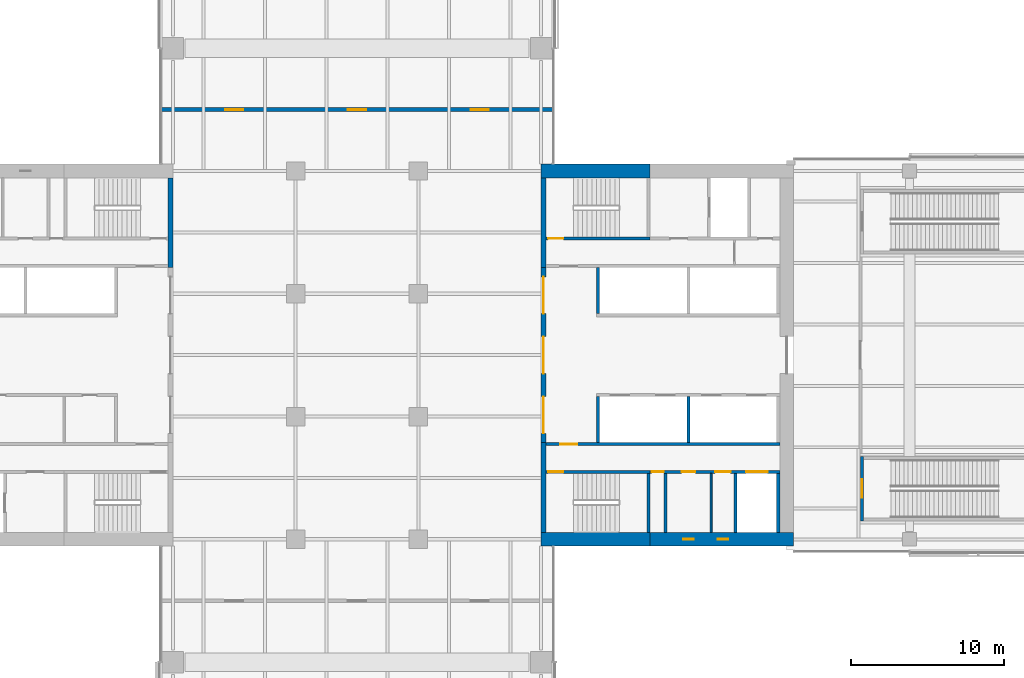
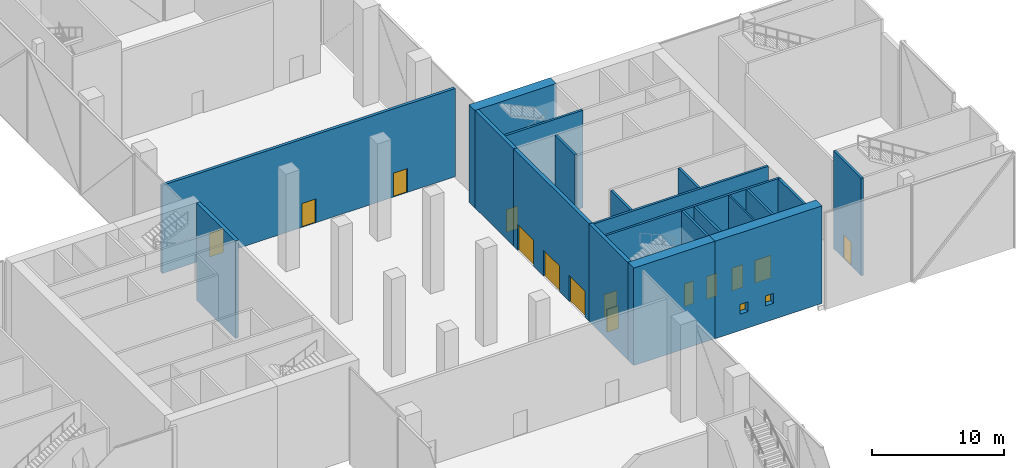
# One storey, part 16 of 26: 21 walls, 14 doors, 2 windows, 16 openings.
"""IFC4 building model written with IfcOpenShell, lengths in metres."""

from ifc_helpers import new_model, si_unit, direction, frame, frame_2d, origin, place, context, subcontext, project, spatial, rectangle, extrude, material, layer, layer_set, constituent, constituent_set, type_object, element, fill, save


model = new_model("IFC4")

# Units and contexts
model_context = context("Model", 3, precision=1e-05, world=origin(), true_north=direction((0.0, 1.0)))
body_context = subcontext(model_context, "Body", "Model", "MODEL_VIEW")
ifc_project = project(units=[si_unit("LENGTHUNIT", "METRE"), si_unit("AREAUNIT", "SQUARE_METRE"), si_unit("VOLUMEUNIT", "CUBIC_METRE"), si_unit("PLANEANGLEUNIT", "RADIAN"), si_unit("MASSUNIT", "GRAM", prefix="KILO")], contexts=[model_context])

# Site, building, storey
site_placement = place(None, origin())
site = spatial("IfcSite", under=ifc_project, at=site_placement, CompositionType="ELEMENT")
building_placement = place(site_placement, origin())
building = spatial("IfcBuilding", under=site, at=building_placement, Name="Crosswind Convention Tower", CompositionType="ELEMENT")
storey_placement = place(building_placement, frame((0.0, 0.0, 25.0)))
storey = spatial("IfcBuildingStorey", under=building, at=storey_placement, Name="L03", CompositionType="ELEMENT", Elevation=25.0)

# Wall
ifc_material_1 = material(Name="Concrete blockwork", Category="masonry")
ifc_layer_1 = layer(ifc_material_1, 0.199951171875)
ifc_layer_set_1 = layer_set([ifc_layer_1], Name="Blockwork partition wall 200")
wall_type_1 = type_object("IfcWallType", Name="Blockwork partition wall 200", PredefinedType="PARTITIONING", material=ifc_layer_set_1)
wall_1_placement = place(storey_placement, frame((145.10009765625, 88.449951171875, 0.0), z_axis=(0.0, 0.0, 1.0), x_axis=(0.0, 1.0, 0.0)))
element("IfcWall", 1, at=wall_1_placement, inside=storey, type_object=wall_type_1, Name="Wall MRSE E L03", PredefinedType="PARTITIONING", context=body_context, shape_type="SweptSolid", body=[
    extrude(rectangle(XDim=3.85009765625, YDim=0.199951171875, at=frame_2d((1.925048828125, 0.0))), origin(), (0.0, 0.0, 1.0), 9.0),
])

# Wall, openings, doors
ifc_material_2 = material(Name="Concrete C50/60", Category="concrete")
ifc_layer_2 = layer(ifc_material_2, 0.300048828125)
ifc_layer_set_2 = layer_set([ifc_layer_2], Name="Concrete C50/60")
wall_type_2 = type_object("IfcWallType", Name="Concrete inner core wall 300", PredefinedType="SHEAR", material=ifc_layer_set_2)
wall_2_placement = place(storey_placement, frame((137.14990234375, 94.300048828125, 0.0), z_axis=(0.0, 0.0, 1.0), x_axis=(0.0, 1.0, 0.0)))
wall_2 = element("IfcWall", 2, at=wall_2_placement, inside=storey, type_object=wall_type_2, Name="Wall SCR E L03", PredefinedType="SHEAR", context=body_context, shape_type="SweptSolid", body=[
    extrude(rectangle(XDim=11.39990234375, YDim=0.300048828125, at=frame_2d((5.699951171875, 0.0))), origin(), (0.0, 0.0, 1.0), 9.0),
])
opening_1_placement = place(wall_2_placement, frame((0.60009765625, 0.0, 0.0)))
opening_1 = element("IfcOpeningElement", 3, at=opening_1_placement, cuts=wall_2, Name="Opening D100", PredefinedType="OPENING", context=body_context, shape_type="SweptSolid", body=[
    extrude(rectangle(XDim=2.39990234375, YDim=2.39990234375, at=frame_2d((1.199951171875, 1.199951171875))), frame((0.0, 0.159912109375, 0.0), z_axis=(0.0, -1.0, 0.0), x_axis=(1.0, 0.0, 0.0)), (0.0, 0.0, 1.0), 0.320068359375),
])
opening_2_placement = place(wall_2_placement, frame((4.5, 0.0, 0.0)))
opening_2 = element("IfcOpeningElement", 4, at=opening_2_placement, cuts=wall_2, Name="Opening D100", PredefinedType="OPENING", context=body_context, shape_type="SweptSolid", body=[
    extrude(rectangle(XDim=2.39990234375, YDim=2.39990234375, at=frame_2d((1.199951171875, 1.199951171875))), frame((0.0, 0.159912109375, 0.0), z_axis=(0.0, -1.0, 0.0), x_axis=(1.0, 0.0, 0.0)), (0.0, 0.0, 1.0), 0.320068359375),
])
opening_3_placement = place(wall_2_placement, frame((8.39990234375, 0.0, 0.0)))
opening_3 = element("IfcOpeningElement", 5, at=opening_3_placement, cuts=wall_2, Name="Opening D100", PredefinedType="OPENING", context=body_context, shape_type="SweptSolid", body=[
    extrude(rectangle(XDim=2.39990234375, YDim=2.39990234375, at=frame_2d((1.199951171875, 1.199951171875))), frame((0.0, 0.159912109375, 0.0), z_axis=(0.0, -1.0, 0.0), x_axis=(1.0, 0.0, 0.0)), (0.0, 0.0, 1.0), 0.320068359375),
])
ifc_material_3 = material(Name="Steel fire door with glazed vision panels", Category="steel")
door_type_1 = type_object("IfcDoorType", Name="Fire-rated double door 2400x2400", OperationType="DOUBLE_DOOR_SINGLE_SWING", PredefinedType="DOOR", material=ifc_material_3)
door_1_placement = place(opening_1_placement, frame((2.39990234375, 0.0, 0.0), z_axis=(0.0, 0.0, 1.0), x_axis=(-1.0, 0.0, 0.0)))
door_1 = element("IfcDoor", 6, at=door_1_placement, inside=storey, type_object=door_type_1, Name="Lobby door 1 L03", ObjectType="D100", OperationType="DOUBLE_DOOR_SINGLE_SWING", OverallHeight=2.39990234375, OverallWidth=2.39990234375, PredefinedType="DOOR", context=body_context, shape_type="SweptSolid", body=[
    extrude(rectangle(XDim=2.39990234375, YDim=2.39990234375, at=frame_2d((1.199951171875, 1.199951171875))), frame((0.0, 0.02490234375, 0.0), z_axis=(0.0, -1.0, 0.0), x_axis=(1.0, 0.0, 0.0)), (0.0, 0.0, 1.0), 0.050048828125),
])
fill(opening_1, door_1)
door_2_placement = place(opening_2_placement, frame((2.39990234375, 0.0, 0.0), z_axis=(0.0, 0.0, 1.0), x_axis=(-1.0, 0.0, 0.0)))
door_2 = element("IfcDoor", 7, at=door_2_placement, inside=storey, type_object=door_type_1, Name="Lobby door 2 L03", ObjectType="D100", OperationType="DOUBLE_DOOR_SINGLE_SWING", OverallHeight=2.39990234375, OverallWidth=2.39990234375, PredefinedType="DOOR", context=body_context, shape_type="SweptSolid", body=[
    extrude(rectangle(XDim=2.39990234375, YDim=2.39990234375, at=frame_2d((1.199951171875, 1.199951171875))), frame((0.0, 0.02490234375, 0.0), z_axis=(0.0, -1.0, 0.0), x_axis=(1.0, 0.0, 0.0)), (0.0, 0.0, 1.0), 0.050048828125),
])
fill(opening_2, door_2)
door_3_placement = place(opening_3_placement, frame((2.39990234375, 0.0, 0.0), z_axis=(0.0, 0.0, 1.0), x_axis=(-1.0, 0.0, 0.0)))
door_3 = element("IfcDoor", 8, at=door_3_placement, inside=storey, type_object=door_type_1, Name="Lobby door 3 L03", ObjectType="D100", OperationType="DOUBLE_DOOR_SINGLE_SWING", OverallHeight=2.39990234375, OverallWidth=2.39990234375, PredefinedType="DOOR", context=body_context, shape_type="SweptSolid", body=[
    extrude(rectangle(XDim=2.39990234375, YDim=2.39990234375, at=frame_2d((1.199951171875, 1.199951171875))), frame((0.0, 0.02490234375, 0.0), z_axis=(0.0, -1.0, 0.0), x_axis=(1.0, 0.0, 0.0)), (0.0, 0.0, 1.0), 0.050048828125),
])
fill(opening_3, door_3)

# Walls
for number, where, z_axis, x_axis, name in (
    (9, (137.14990234375, 105.699951171875, 0.0), (0.0, 0.0, 1.0), (0.0, 1.0, 0.0), "Wall EP E L03"),
    (10, (137.14990234375, 88.449951171875, 0.0), (0.0, 0.0, 1.0), (0.0, 1.0, 0.0), "Wall EM E L03"),
    (11, (112.85009765625, 111.550048828125, 0.0), (0.0, 0.0, 1.0), (0.0, -1.0, 0.0), "Wall EM W L03"),
):
    element("IfcWall", number, at=place(storey_placement, frame(where, z_axis=z_axis, x_axis=x_axis)), inside=storey, type_object=wall_type_2, Name=name, PredefinedType="SHEAR", context=body_context, shape_type="SweptSolid", body=[
        extrude(rectangle(XDim=5.85009765625, YDim=0.300048828125, at=frame_2d((2.925048828125, 0.0))), origin(), (0.0, 0.0, 1.0), 9.0),
    ])
ifc_layer_3 = layer(ifc_material_2, 0.199951171875)
ifc_layer_set_3 = layer_set([ifc_layer_3], Name="Concrete C50/60")
wall_type_3 = type_object("IfcWallType", Name="Concrete shaft and stair wall 200", PredefinedType="SHEAR", material=ifc_layer_set_3)
for number, where, z_axis, x_axis, name in (
    (12, (140.699951171875, 102.699951171875, 0.0), (0.0, 0.0, 1.0), (0.0, 1.0, 0.0), "Wall RPEND E L03"),
    (13, (140.699951171875, 94.300048828125, 0.0), (0.0, 0.0, 1.0), (0.0, 1.0, 0.0), "Wall RMEND E L03"),
    (14, (146.60009765625, 94.300048828125, 0.0), (0.0, 0.0, 1.0), (0.0, 1.0, 0.0), "Wall RMSEP E L03"),
):
    element("IfcWall", number, at=place(storey_placement, frame(where, z_axis=z_axis, x_axis=x_axis)), inside=storey, type_object=wall_type_3, Name=name, PredefinedType="SHEAR", context=body_context, shape_type="SweptSolid", body=[
        extrude(rectangle(XDim=3.0, YDim=0.199951171875, at=frame_2d((1.5, 0.0))), origin(), (0.0, 0.0, 1.0), 9.0),
    ])

# Wall, opening, door
wall_3_placement = place(storey_placement, frame((137.300048828125, 107.60009765625, 0.0), z_axis=(0.0, 0.0, 1.0), x_axis=(1.0, 0.0, 0.0)))
wall_3 = element("IfcWall", 15, at=wall_3_placement, inside=storey, type_object=wall_type_3, Name="Wall PCW E L03", PredefinedType="SHEAR", context=body_context, shape_type="SweptSolid", body=[
    extrude(rectangle(XDim=6.800048828125, YDim=0.199951171875, at=frame_2d((3.39990234375, 0.0))), origin(), (0.0, 0.0, 1.0), 9.0),
])
opening_4_placement = place(wall_3_placement, frame((0.14990234375, 0.0, 0.0)))
opening_4 = element("IfcOpeningElement", 16, at=opening_4_placement, cuts=wall_3, Name="Opening D103", PredefinedType="OPENING", context=body_context, shape_type="SweptSolid", body=[
    extrude(rectangle(XDim=1.0, YDim=2.10009765625, at=frame_2d((0.5, 1.050048828125))), frame((0.0, 0.10986328125, 0.0), z_axis=(0.0, -1.0, 0.0), x_axis=(1.0, 0.0, 0.0)), (0.0, 0.0, 1.0), 0.219970703125),
])
ifc_material_4 = material(Name="Steel fire door", Category="steel")
door_type_2 = type_object("IfcDoorType", Name="Fire-rated single door 1000x2100", OperationType="NOTDEFINED", PredefinedType="DOOR", material=ifc_material_4)
door_4_placement = place(opening_4_placement, origin())
door_4 = element("IfcDoor", 17, at=door_4_placement, inside=storey, type_object=door_type_2, Name="Stair ST1 door L03", ObjectType="D103", OperationType="SINGLE_SWING_LEFT", OverallHeight=2.10009765625, OverallWidth=1.0, PredefinedType="DOOR", context=body_context, shape_type="SweptSolid", body=[
    extrude(rectangle(XDim=1.0, YDim=2.10009765625, at=frame_2d((0.5, 1.050048828125))), frame((0.0, 0.02490234375, 0.0), z_axis=(0.0, -1.0, 0.0), x_axis=(1.0, 0.0, 0.0)), (0.0, 0.0, 1.0), 0.050048828125),
])
fill(opening_4, door_4)

wall_4_placement = place(storey_placement, frame((137.300048828125, 94.199951171875, 0.0), z_axis=(0.0, 0.0, 1.0), x_axis=(1.0, 0.0, 0.0)))
wall_4 = element("IfcWall", 18, at=wall_4_placement, inside=storey, type_object=wall_type_3, Name="Wall HM E L03", PredefinedType="SHEAR", context=body_context, shape_type="SweptSolid", body=[
    extrude(rectangle(XDim=15.25, YDim=0.199951171875, at=frame_2d((7.625, 0.0))), origin(), (0.0, 0.0, 1.0), 9.0),
])
opening_5_placement = place(wall_4_placement, frame((0.949951171875, 0.0, 0.0)))
opening_5 = element("IfcOpeningElement", 19, at=opening_5_placement, cuts=wall_4, Name="Opening D104", PredefinedType="OPENING", context=body_context, shape_type="SweptSolid", body=[
    extrude(rectangle(XDim=1.10009765625, YDim=2.10009765625, at=frame_2d((0.550048828125, 1.050048828125))), frame((0.0, 0.10986328125, 0.0), z_axis=(0.0, -1.0, 0.0), x_axis=(1.0, 0.0, 0.0)), (0.0, 0.0, 1.0), 0.219970703125),
])
door_type_3 = type_object("IfcDoorType", Name="Fire-rated single door 1100x2100", OperationType="NOTDEFINED", PredefinedType="DOOR", material=ifc_material_4)
door_5_placement = place(opening_5_placement, frame((1.10009765625, 0.0, 0.0), z_axis=(0.0, 0.0, 1.0), x_axis=(-1.0, 0.0, 0.0)))
door_5 = element("IfcDoor", 20, at=door_5_placement, inside=storey, type_object=door_type_3, Name="Corridor door L03", ObjectType="D104", OperationType="SINGLE_SWING_RIGHT", OverallHeight=2.10009765625, OverallWidth=1.10009765625, PredefinedType="DOOR", context=body_context, shape_type="SweptSolid", body=[
    extrude(rectangle(XDim=1.10009765625, YDim=2.10009765625, at=frame_2d((0.550048828125, 1.050048828125))), frame((0.0, 0.02490234375, 0.0), z_axis=(0.0, -1.0, 0.0), x_axis=(1.0, 0.0, 0.0)), (0.0, 0.0, 1.0), 0.050048828125),
])
fill(opening_5, door_5)

# Walls
for number, where, z_axis, x_axis, name in (
    (21, (144.0, 88.449951171875, 0.0), (0.0, 0.0, 1.0), (0.0, 1.0, 0.0), "Wall MSE E L03"),
    (22, (149.64990234375, 88.449951171875, 0.0), (0.0, 0.0, 1.0), (0.0, 1.0, 0.0), "Wall MFSW E L03"),
    (23, (152.449951171875, 88.449951171875, 0.0), (0.0, 0.0, 1.0), (0.0, 1.0, 0.0), "Wall MFSE E L03"),
):
    element("IfcWall", number, at=place(storey_placement, frame(where, z_axis=z_axis, x_axis=x_axis)), inside=storey, type_object=wall_type_3, Name=name, PredefinedType="SHEAR", context=body_context, shape_type="SweptSolid", body=[
        extrude(rectangle(XDim=3.85009765625, YDim=0.199951171875, at=frame_2d((1.925048828125, 0.0))), origin(), (0.0, 0.0, 1.0), 9.0),
    ])

# Wall, opening, door
wall_5_placement = place(storey_placement, frame((137.300048828125, 92.39990234375, 0.0), z_axis=(0.0, 0.0, 1.0), x_axis=(1.0, 0.0, 0.0)))
wall_5 = element("IfcWall", 24, at=wall_5_placement, inside=storey, type_object=wall_type_3, Name="Wall MCW E L03", PredefinedType="SHEAR", context=body_context, shape_type="SweptSolid", body=[
    extrude(rectangle(XDim=6.800048828125, YDim=0.199951171875, at=frame_2d((3.39990234375, 0.0))), origin(), (0.0, 0.0, 1.0), 9.0),
])
opening_6_placement = place(wall_5_placement, frame((0.14990234375, 0.0, 0.0)))
opening_6 = element("IfcOpeningElement", 25, at=opening_6_placement, cuts=wall_5, Name="Opening D103", PredefinedType="OPENING", context=body_context, shape_type="SweptSolid", body=[
    extrude(rectangle(XDim=1.0, YDim=2.10009765625, at=frame_2d((0.5, 1.050048828125))), frame((0.0, 0.10986328125, 0.0), z_axis=(0.0, -1.0, 0.0), x_axis=(1.0, 0.0, 0.0)), (0.0, 0.0, 1.0), 0.219970703125),
])
door_6_placement = place(opening_6_placement, frame((1.0, 0.0, 0.0), z_axis=(0.0, 0.0, 1.0), x_axis=(-1.0, 0.0, 0.0)))
door_6 = element("IfcDoor", 26, at=door_6_placement, inside=storey, type_object=door_type_2, Name="Stair ST2 door L03", ObjectType="D103", OperationType="SINGLE_SWING_RIGHT", OverallHeight=2.10009765625, OverallWidth=1.0, PredefinedType="DOOR", context=body_context, shape_type="SweptSolid", body=[
    extrude(rectangle(XDim=1.0, YDim=2.10009765625, at=frame_2d((0.5, 1.050048828125))), frame((0.0, 0.02490234375, 0.0), z_axis=(0.0, -1.0, 0.0), x_axis=(1.0, 0.0, 0.0)), (0.0, 0.0, 1.0), 0.050048828125),
])
fill(opening_6, door_6)

# Wall, openings, doors
wall_6_placement = place(storey_placement, frame((144.10009765625, 92.39990234375, 0.0), z_axis=(0.0, 0.0, 1.0), x_axis=(1.0, 0.0, 0.0)))
wall_6 = element("IfcWall", 27, at=wall_6_placement, inside=storey, type_object=wall_type_3, Name="Wall MCX E L03", PredefinedType="SHEAR", context=body_context, shape_type="SweptSolid", body=[
    extrude(rectangle(XDim=8.449951171875, YDim=0.199951171875, at=frame_2d((4.22509765625, 0.0))), origin(), (0.0, 0.0, 1.0), 9.0),
])
opening_7_placement = place(wall_6_placement, frame((0.10009765625, 0.0, 0.0)))
opening_7 = element("IfcOpeningElement", 28, at=opening_7_placement, cuts=wall_6, Name="Opening D105", PredefinedType="OPENING", context=body_context, shape_type="SweptSolid", body=[
    extrude(rectangle(XDim=0.800048828125, YDim=2.10009765625, at=frame_2d((0.39990234375, 1.050048828125))), frame((0.0, 0.10986328125, 0.0), z_axis=(0.0, -1.0, 0.0), x_axis=(1.0, 0.0, 0.0)), (0.0, 0.0, 1.0), 0.219970703125),
])
opening_8_placement = place(wall_6_placement, frame((2.05419921875, 0.0, 0.0)))
opening_8 = element("IfcOpeningElement", 29, at=opening_8_placement, cuts=wall_6, Name="Opening D106", PredefinedType="OPENING", context=body_context, shape_type="SweptSolid", body=[
    extrude(rectangle(XDim=0.89990234375, YDim=2.10009765625, at=frame_2d((0.449951171875, 1.050048828125))), frame((0.0, 0.10986328125, 0.0), z_axis=(0.0, -1.0, 0.0), x_axis=(1.0, 0.0, 0.0)), (0.0, 0.0, 1.0), 0.219970703125),
])
opening_9_placement = place(wall_6_placement, frame((4.24169921875, 0.0, 0.0)))
opening_9 = element("IfcOpeningElement", 30, at=opening_9_placement, cuts=wall_6, Name="Opening D103", PredefinedType="OPENING", context=body_context, shape_type="SweptSolid", body=[
    extrude(rectangle(XDim=1.0, YDim=2.10009765625, at=frame_2d((0.5, 1.050048828125))), frame((0.0, 0.10986328125, 0.0), z_axis=(0.0, -1.0, 0.0), x_axis=(1.0, 0.0, 0.0)), (0.0, 0.0, 1.0), 0.219970703125),
])
opening_10_placement = place(wall_6_placement, frame((6.25, 0.0, 0.0)))
opening_10 = element("IfcOpeningElement", 31, at=opening_10_placement, cuts=wall_6, Name="Opening LD2", PredefinedType="OPENING", context=body_context, shape_type="SweptSolid", body=[
    extrude(rectangle(XDim=1.39990234375, YDim=2.10009765625, at=frame_2d((0.699951171875, 1.050048828125))), frame((0.0, 0.10986328125, 0.0), z_axis=(0.0, -1.0, 0.0), x_axis=(1.0, 0.0, 0.0)), (0.0, 0.0, 1.0), 0.219970703125),
])
door_7_placement = place(opening_9_placement, frame((1.0, 0.0, 0.0), z_axis=(0.0, 0.0, 1.0), x_axis=(-1.0, 0.0, 0.0)))
door_7 = element("IfcDoor", 32, at=door_7_placement, inside=storey, type_object=door_type_2, Name="Door to accessible wc L03", ObjectType="D103", OperationType="SINGLE_SWING_LEFT", OverallHeight=2.10009765625, OverallWidth=1.0, PredefinedType="DOOR", context=body_context, shape_type="SweptSolid", body=[
    extrude(rectangle(XDim=1.0, YDim=2.10009765625, at=frame_2d((0.5, 1.050048828125))), frame((0.0, 0.02490234375, 0.0), z_axis=(0.0, -1.0, 0.0), x_axis=(1.0, 0.0, 0.0)), (0.0, 0.0, 1.0), 0.050048828125),
])
fill(opening_9, door_7)
ifc_material_5 = material(Name="Stainless steel", Category="steel")
door_type_4 = type_object("IfcDoorType", Name="Lift landing door 1400x2100", OperationType="DOUBLE_DOOR_SLIDING", PredefinedType="DOOR", material=ifc_material_5)
door_8_placement = place(opening_10_placement, origin())
door_8 = element("IfcDoor", 33, at=door_8_placement, inside=storey, type_object=door_type_4, Name="Landing door SV1 L03", ObjectType="LD2", OperationType="DOUBLE_DOOR_SLIDING", OverallHeight=2.10009765625, OverallWidth=1.39990234375, PredefinedType="DOOR", context=body_context, shape_type="SweptSolid", body=[
    extrude(rectangle(XDim=1.39990234375, YDim=2.10009765625, at=frame_2d((0.699951171875, 1.050048828125))), frame((0.0, 0.02490234375, 0.0), z_axis=(0.0, -1.0, 0.0), x_axis=(1.0, 0.0, 0.0)), (0.0, 0.0, 1.0), 0.050048828125),
])
fill(opening_10, door_8)
door_type_5 = type_object("IfcDoorType", Name="Riser access door 800x2100", OperationType="NOTDEFINED", PredefinedType="DOOR", material=ifc_material_4)
door_9_placement = place(opening_7_placement, frame((0.800048828125, 0.0, 0.0), z_axis=(0.0, 0.0, 1.0), x_axis=(-1.0, 0.0, 0.0)))
door_9 = element("IfcDoor", 34, at=door_9_placement, inside=storey, type_object=door_type_5, Name="Riser door L03", ObjectType="D105", OperationType="SINGLE_SWING_LEFT", OverallHeight=2.10009765625, OverallWidth=0.800048828125, PredefinedType="DOOR", context=body_context, shape_type="SweptSolid", body=[
    extrude(rectangle(XDim=0.800048828125, YDim=2.10009765625, at=frame_2d((0.39990234375, 1.050048828125))), frame((0.0, 0.02490234375, 0.0), z_axis=(0.0, -1.0, 0.0), x_axis=(1.0, 0.0, 0.0)), (0.0, 0.0, 1.0), 0.050048828125),
])
fill(opening_7, door_9)
ifc_material_6 = material(Name="Timber door", Category="wood")
door_type_6 = type_object("IfcDoorType", Name="Single leaf door 900x2100", OperationType="NOTDEFINED", PredefinedType="DOOR", material=ifc_material_6)
door_10_placement = place(opening_8_placement, frame((0.89990234375, 0.0, 0.0), z_axis=(0.0, 0.0, 1.0), x_axis=(-1.0, 0.0, 0.0)))
door_10 = element("IfcDoor", 35, at=door_10_placement, inside=storey, type_object=door_type_6, Name="Door to wc L03", ObjectType="D106", OperationType="SINGLE_SWING_LEFT", OverallHeight=2.10009765625, OverallWidth=0.89990234375, PredefinedType="DOOR", context=body_context, shape_type="SweptSolid", body=[
    extrude(rectangle(XDim=0.89990234375, YDim=2.10009765625, at=frame_2d((0.449951171875, 1.050048828125))), frame((0.0, 0.02490234375, 0.0), z_axis=(0.0, -1.0, 0.0), x_axis=(1.0, 0.0, 0.0)), (0.0, 0.0, 1.0), 0.050048828125),
])
fill(opening_8, door_10)

# Wall
ifc_material_7 = material(Name="Gypsum plasterboard partition", Category="gypsum")
ifc_layer_4 = layer(ifc_material_7, 0.125)
ifc_layer_set_4 = layer_set([ifc_layer_4], Name="Drywall partition wall 125")
wall_type_4 = type_object("IfcWallType", Name="Drywall partition wall 125", PredefinedType="PARTITIONING", material=ifc_layer_set_4)
wall_7_placement = place(storey_placement, frame((148.071044921875, 88.449951171875, 0.0), z_axis=(0.0, 0.0, 1.0), x_axis=(0.0, 1.0, 0.0)))
element("IfcWall", 36, at=wall_7_placement, inside=storey, type_object=wall_type_4, Name="Wall MWP1 E L03", PredefinedType="PARTITIONING", context=body_context, shape_type="SweptSolid", body=[
    extrude(rectangle(XDim=3.85009765625, YDim=0.125, at=frame_2d((1.925048828125, 0.0))), origin(), (0.0, 0.0, 1.0), 9.0),
])

# Wall, opening, door
ifc_material_8 = material(Name="Concrete C40/50", Category="concrete")
ifc_layer_5 = layer(ifc_material_8, 0.199951171875)
ifc_layer_set_5 = layer_set([ifc_layer_5], Name="Concrete C40/50")
wall_type_5 = type_object("IfcWallType", Name="STAIR ENCLOSURE WALL 200", PredefinedType="SOLIDWALL", material=ifc_layer_set_5)
wall_8_placement = place(storey_placement, frame((157.89990234375, 89.199951171875, 0.0), z_axis=(0.0, 0.0, 1.0), x_axis=(0.0, 1.0, 0.0)))
wall_8 = element("IfcWall", 37, at=wall_8_placement, inside=storey, type_object=wall_type_5, Name="Stair Enclosure Wall 37", PredefinedType="SOLIDWALL", context=body_context, shape_type="SweptSolid", body=[
    extrude(rectangle(XDim=4.199951171875, YDim=0.199951171875, at=frame_2d((2.10009765625, 0.0))), origin(), (0.0, 0.0, 1.0), 9.0),
])
opening_11_placement = place(wall_8_placement, frame((1.5, 0.0, 0.0)))
opening_11 = element("IfcOpeningElement", 38, at=opening_11_placement, cuts=wall_8, Name="Opening 03.013", PredefinedType="OPENING", context=body_context, shape_type="SweptSolid", body=[
    extrude(rectangle(XDim=1.199951171875, YDim=2.199951171875, at=frame_2d((0.60009765625, 1.10009765625))), frame((0.0, 0.10986328125, 0.0), z_axis=(0.0, -1.0, 0.0), x_axis=(1.0, 0.0, 0.0)), (0.0, 0.0, 1.0), 0.219970703125),
])
door_type_7 = type_object("IfcDoorType", Name="STAIR DOOR 1200X2200", OperationType="NOTDEFINED", PredefinedType="DOOR", material=ifc_material_4)
door_11_placement = place(opening_11_placement, frame((1.199951171875, 0.0, 0.0), z_axis=(0.0, 0.0, 1.0), x_axis=(-1.0, 0.0, 0.0)))
door_11 = element("IfcDoor", 39, at=door_11_placement, inside=storey, type_object=door_type_7, Name="Door 03.013", ObjectType="D4", OperationType="SINGLE_SWING_LEFT", OverallHeight=2.199951171875, OverallWidth=1.199951171875, PredefinedType="DOOR", context=body_context, shape_type="SweptSolid", body=[
    extrude(rectangle(XDim=1.199951171875, YDim=2.199951171875, at=frame_2d((0.60009765625, 1.10009765625))), frame((0.0, 0.02490234375, 0.0), z_axis=(0.0, -1.0, 0.0), x_axis=(1.0, 0.0, 0.0)), (0.0, 0.0, 1.0), 0.050048828125),
])
fill(opening_11, door_11)

# Wall, openings, doors
ifc_material_9 = material(Name="Acoustic blockwork", Category="masonry")
ifc_layer_6 = layer(ifc_material_9, 0.25)
ifc_layer_set_6 = layer_set([ifc_layer_6], Name="THEATRE WALL 250")
wall_type_6 = type_object("IfcWallType", Name="THEATRE WALL 250", PredefinedType="PARTITIONING", material=ifc_layer_set_6)
wall_9_placement = place(storey_placement, frame((112.199951171875, 116.0, 0.0), z_axis=(0.0, 0.0, 1.0), x_axis=(1.0, 0.0, 0.0)))
wall_9 = element("IfcWall", 40, at=wall_9_placement, inside=storey, type_object=wall_type_6, Name="Theatre Wall 17", PredefinedType="PARTITIONING", context=body_context, shape_type="SweptSolid", body=[
    extrude(rectangle(XDim=25.60009765625, YDim=0.25, at=frame_2d((12.800048828125, 0.0))), origin(), (0.0, 0.0, 1.0), 8.13232421875),
])
opening_12_placement = place(wall_9_placement, frame((4.199951171875, 0.0, 0.0)))
opening_12 = element("IfcOpeningElement", 41, at=opening_12_placement, cuts=wall_9, Name="Opening 03.003", PredefinedType="OPENING", context=body_context, shape_type="SweptSolid", body=[
    extrude(rectangle(XDim=1.199951171875, YDim=2.199951171875, at=frame_2d((0.60009765625, 1.10009765625))), frame((0.0, 0.135009765625, 0.0), z_axis=(0.0, -1.0, 0.0), x_axis=(1.0, 0.0, 0.0)), (0.0, 0.0, 1.0), 0.27001953125),
])
opening_13_placement = place(wall_9_placement, frame((12.199951171875, 0.0, 0.0)))
opening_13 = element("IfcOpeningElement", 42, at=opening_13_placement, cuts=wall_9, Name="Opening 03.005", PredefinedType="OPENING", context=body_context, shape_type="SweptSolid", body=[
    extrude(rectangle(XDim=1.199951171875, YDim=2.199951171875, at=frame_2d((0.60009765625, 1.10009765625))), frame((0.0, 0.135009765625, 0.0), z_axis=(0.0, -1.0, 0.0), x_axis=(1.0, 0.0, 0.0)), (0.0, 0.0, 1.0), 0.27001953125),
])
opening_14_placement = place(wall_9_placement, frame((20.199951171875, 0.0, 0.0)))
opening_14 = element("IfcOpeningElement", 43, at=opening_14_placement, cuts=wall_9, Name="Opening 03.007", PredefinedType="OPENING", context=body_context, shape_type="SweptSolid", body=[
    extrude(rectangle(XDim=1.199951171875, YDim=2.199951171875, at=frame_2d((0.60009765625, 1.10009765625))), frame((0.0, 0.135009765625, 0.0), z_axis=(0.0, -1.0, 0.0), x_axis=(1.0, 0.0, 0.0)), (0.0, 0.0, 1.0), 0.27001953125),
])
ifc_material_10 = material(Name="Acoustic timber door", Category="wood")
door_type_8 = type_object("IfcDoorType", Name="THEATRE DOOR 1200X2200", OperationType="NOTDEFINED", PredefinedType="DOOR", material=ifc_material_10)
door_12_placement = place(opening_12_placement, frame((1.199951171875, 0.0, 0.0), z_axis=(0.0, 0.0, 1.0), x_axis=(-1.0, 0.0, 0.0)))
door_12 = element("IfcDoor", 44, at=door_12_placement, inside=storey, type_object=door_type_8, Name="Door 03.003", ObjectType="D9", OperationType="SINGLE_SWING_RIGHT", OverallHeight=2.199951171875, OverallWidth=1.199951171875, PredefinedType="DOOR", context=body_context, shape_type="SweptSolid", body=[
    extrude(rectangle(XDim=1.199951171875, YDim=2.199951171875, at=frame_2d((0.60009765625, 1.10009765625))), frame((0.0, 0.02490234375, 0.0), z_axis=(0.0, -1.0, 0.0), x_axis=(1.0, 0.0, 0.0)), (0.0, 0.0, 1.0), 0.050048828125),
])
fill(opening_12, door_12)
door_13_placement = place(opening_13_placement, frame((1.199951171875, 0.0, 0.0), z_axis=(0.0, 0.0, 1.0), x_axis=(-1.0, 0.0, 0.0)))
door_13 = element("IfcDoor", 45, at=door_13_placement, inside=storey, type_object=door_type_8, Name="Door 03.005", ObjectType="D9", OperationType="SINGLE_SWING_LEFT", OverallHeight=2.199951171875, OverallWidth=1.199951171875, PredefinedType="DOOR", context=body_context, shape_type="SweptSolid", body=[
    extrude(rectangle(XDim=1.199951171875, YDim=2.199951171875, at=frame_2d((0.60009765625, 1.10009765625))), frame((0.0, 0.02490234375, 0.0), z_axis=(0.0, -1.0, 0.0), x_axis=(1.0, 0.0, 0.0)), (0.0, 0.0, 1.0), 0.050048828125),
])
fill(opening_13, door_13)
door_14_placement = place(opening_14_placement, frame((1.199951171875, 0.0, 0.0), z_axis=(0.0, 0.0, 1.0), x_axis=(-1.0, 0.0, 0.0)))
door_14 = element("IfcDoor", 46, at=door_14_placement, inside=storey, type_object=door_type_8, Name="Door 03.007", ObjectType="D9", OperationType="SINGLE_SWING_LEFT", OverallHeight=2.199951171875, OverallWidth=1.199951171875, PredefinedType="DOOR", context=body_context, shape_type="SweptSolid", body=[
    extrude(rectangle(XDim=1.199951171875, YDim=2.199951171875, at=frame_2d((0.60009765625, 1.10009765625))), frame((0.0, 0.02490234375, 0.0), z_axis=(0.0, -1.0, 0.0), x_axis=(1.0, 0.0, 0.0)), (0.0, 0.0, 1.0), 0.050048828125),
])
fill(opening_14, door_14)

# Walls
ifc_material_11 = material(Name="Concrete C60/75", Category="concrete")
ifc_constituent_1 = constituent(ifc_material_11, Name="Structure")
ifc_material_12 = material(Name="Terracotta rainscreen", Category="ceramic")
ifc_constituent_2 = constituent(ifc_material_12, Name="Facing")
ifc_constituent_set = constituent_set(constituents=[ifc_constituent_1, ifc_constituent_2], Name="Concrete C60/75, Terracotta rainscreen")
wall_type_7 = type_object("IfcWallType", Name="Terracotta rainscreen on concrete core wall 900", PredefinedType="SHEAR", material=ifc_constituent_set)
for number, where, z_axis, x_axis, name in (
    (47, (137.0, 112.0, 0.0), (0.0, 0.0, 1.0), (1.0, 0.0, 0.0), "Wall N1 E L03"),
    (48, (137.0, 88.0, 0.0), (0.0, 0.0, 1.0), (1.0, 0.0, 0.0), "Wall S1 E L03"),
):
    element("IfcWall", number, at=place(storey_placement, frame(where, z_axis=z_axis, x_axis=x_axis)), inside=storey, type_object=wall_type_7, Name=name, PredefinedType="SHEAR", context=body_context, shape_type="SweptSolid", body=[
        extrude(rectangle(XDim=7.10009765625, YDim=0.89990234375, at=frame_2d((3.550048828125, 0.0))), origin(), (0.0, 0.0, 1.0), 9.0),
    ])

# Wall, openings, windows
wall_10_placement = place(storey_placement, frame((144.10009765625, 88.0, 0.0), z_axis=(0.0, 0.0, 1.0), x_axis=(1.0, 0.0, 0.0)))
wall_10 = element("IfcWall", 49, at=wall_10_placement, inside=storey, type_object=wall_type_7, Name="Wall S2 E L03", PredefinedType="SHEAR", context=body_context, shape_type="SweptSolid", body=[
    extrude(rectangle(XDim=9.349853515625, YDim=0.89990234375, at=frame_2d((4.6748046875, 0.0))), origin(), (0.0, 0.0, 1.0), 9.0),
])
opening_15_placement = place(wall_10_placement, frame((2.154296875, 0.0, 1.5)))
opening_15 = element("IfcOpeningElement", 50, at=opening_15_placement, cuts=wall_10, Name="Opening W2", PredefinedType="OPENING", context=body_context, shape_type="SweptSolid", body=[
    extrude(rectangle(XDim=0.699951171875, YDim=0.89990234375, at=frame_2d((0.35009765625, 0.449951171875))), frame((0.0, 0.4599609375, 0.0), z_axis=(0.0, -1.0, 0.0), x_axis=(1.0, 0.0, 0.0)), (0.0, 0.0, 1.0), 0.919921875),
])
opening_16_placement = place(wall_10_placement, frame((4.391845703125, 0.0, 1.5)))
opening_16 = element("IfcOpeningElement", 51, at=opening_16_placement, cuts=wall_10, Name="Opening W2", PredefinedType="OPENING", context=body_context, shape_type="SweptSolid", body=[
    extrude(rectangle(XDim=0.699951171875, YDim=0.89990234375, at=frame_2d((0.35009765625, 0.449951171875))), frame((0.0, 0.4599609375, 0.0), z_axis=(0.0, -1.0, 0.0), x_axis=(1.0, 0.0, 0.0)), (0.0, 0.0, 1.0), 0.919921875),
])
ifc_material_13 = material(Name="Obscure glass in aluminium frame", Category="aluminium")
window_type = type_object("IfcWindowType", Name="WC window 700x900", PartitioningType="SINGLE_PANEL", PredefinedType="WINDOW", material=ifc_material_13)
window_1_placement = place(opening_15_placement, origin())
window_1 = element("IfcWindow", 52, at=window_1_placement, inside=storey, type_object=window_type, Name="WC window L03", ObjectType="W2", OverallHeight=0.89990234375, OverallWidth=0.699951171875, PartitioningType="SINGLE_PANEL", PredefinedType="WINDOW", context=body_context, shape_type="SweptSolid", body=[
    extrude(rectangle(XDim=0.699951171875, YDim=0.89990234375, at=frame_2d((0.35009765625, 0.449951171875))), frame((0.0, 0.030029296875, 0.0), z_axis=(0.0, -1.0, 0.0), x_axis=(1.0, 0.0, 0.0)), (0.0, 0.0, 1.0), 0.06005859375),
])
fill(opening_15, window_1)
window_2_placement = place(opening_16_placement, origin())
window_2 = element("IfcWindow", 53, at=window_2_placement, inside=storey, type_object=window_type, Name="WC window L03", ObjectType="W2", OverallHeight=0.89990234375, OverallWidth=0.699951171875, PartitioningType="SINGLE_PANEL", PredefinedType="WINDOW", context=body_context, shape_type="SweptSolid", body=[
    extrude(rectangle(XDim=0.699951171875, YDim=0.89990234375, at=frame_2d((0.35009765625, 0.449951171875))), frame((0.0, 0.030029296875, 0.0), z_axis=(0.0, -1.0, 0.0), x_axis=(1.0, 0.0, 0.0)), (0.0, 0.0, 1.0), 0.06005859375),
])
fill(opening_16, window_2)

save(model, "model.ifc")
